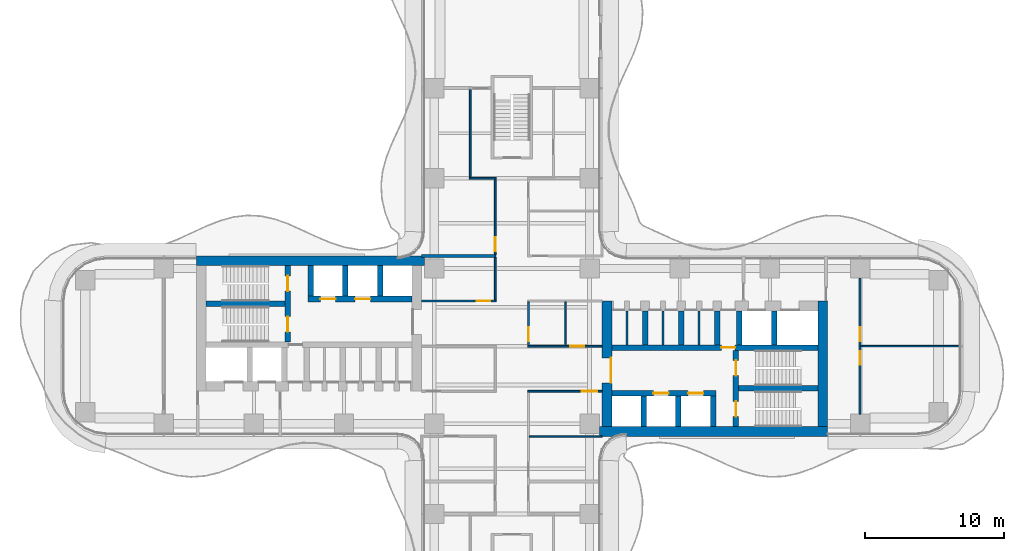
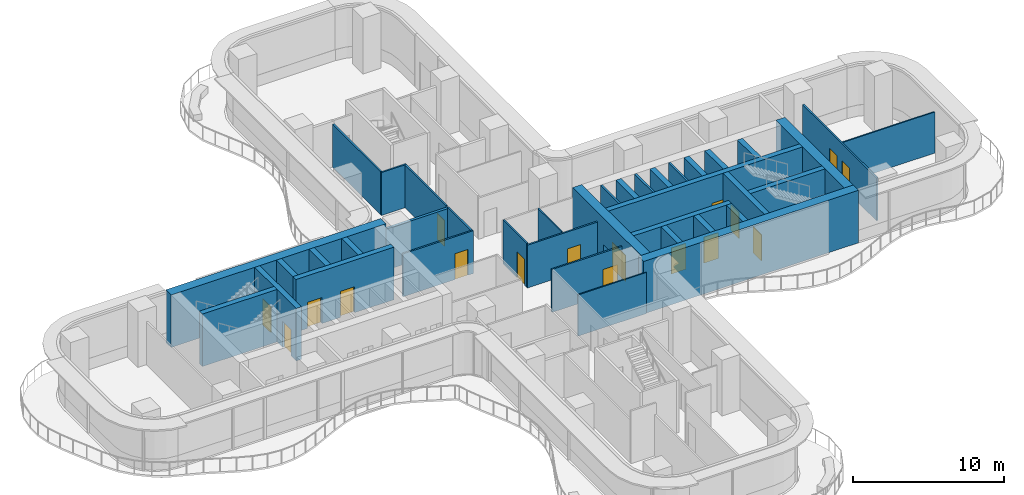
# One storey, part 18 of 22: 38 walls, 17 doors, 17 openings.
"""IFC4 building model written with IfcOpenShell, lengths in metres."""

from ifc_helpers import new_model, si_unit, direction, frame, frame_2d, origin, place, context, subcontext, project, spatial, rectangle, extrude, source, transform, mapped, material, layer, layer_set, type_object, element, fill, save


model = new_model("IFC4")

# Units and contexts
model_context = context("Model", 3, precision=1e-05, world=origin(), true_north=direction((0.0, 1.0)))
body_context = subcontext(model_context, "Body", "Model", "MODEL_VIEW")
ifc_project = project(units=[si_unit("LENGTHUNIT", "METRE"), si_unit("AREAUNIT", "SQUARE_METRE"), si_unit("VOLUMEUNIT", "CUBIC_METRE"), si_unit("PLANEANGLEUNIT", "RADIAN"), si_unit("MASSUNIT", "GRAM", prefix="KILO")], contexts=[model_context])

# Site, building, storey
site_placement = place(None, origin())
site = spatial("IfcSite", under=ifc_project, at=site_placement, CompositionType="ELEMENT")
building_placement = place(site_placement, origin())
building = spatial("IfcBuilding", under=site, at=building_placement, Name="Trellis Farm Tower", CompositionType="ELEMENT")
storey_placement = place(building_placement, frame((0.0, 0.0, 47.5)))
storey = spatial("IfcBuildingStorey", under=building, at=storey_placement, Name="L09", CompositionType="ELEMENT", Elevation=47.5)

# Wall, opening, door
ifc_material_1 = material(Name="Concrete C80/95", Category="concrete")
ifc_layer_1 = layer(ifc_material_1, 0.699951171875)
ifc_layer_set_1 = layer_set([ifc_layer_1], Name="CORE OUTER WALL 700 CONCRETE C80/95")
wall_type_1 = type_object("IfcWallType", Name="CORE OUTER WALL 700 CONCRETE C80/95", PredefinedType="SHEAR", material=ifc_layer_set_1)
shared_shape_1 = source(origin(), body_context, "Body", "SweptSolid", [
    extrude(rectangle(XDim=9.050048828125, YDim=0.699951171875, at=frame_2d((4.52490234375, 0.0))), origin(), (0.0, 0.0, 1.0), 4.25),
])
wall_1_placement = place(storey_placement, frame((6.85009765625, -5.800048828125, 0.0), z_axis=(0.0, 0.0, 1.0), x_axis=(0.0, 1.0, 0.0)))
wall_1 = element("IfcWall", 1, at=wall_1_placement, inside=storey, type_object=wall_type_1, Name="Core wall", PredefinedType="SHEAR", context=body_context, shape_type="MappedRepresentation", body=[
    mapped(shared_shape_1, transform((0.0, 0.0, 0.0))),
])
shared_shape_2 = source(origin(), body_context, "Body", "SweptSolid", [
    extrude(rectangle(XDim=1.800048828125, YDim=2.10009765625, at=frame_2d((0.89990234375, 1.050048828125))), frame((0.0, 0.360107421875, 0.0), z_axis=(0.0, -1.0, 0.0), x_axis=(1.0, 0.0, 0.0)), (0.0, 0.0, 1.0), 0.72021484375),
])
opening_1_placement = place(wall_1_placement, frame((3.14990234375, 0.0, 0.0)))
opening_1 = element("IfcOpeningElement", 2, at=opening_1_placement, cuts=wall_1, Name="Opening DC1", PredefinedType="OPENING", context=body_context, shape_type="MappedRepresentation", body=[
    mapped(shared_shape_2, transform((0.0, 0.0, 0.0))),
])
ifc_material_2 = material(Name="Steel", Category="steel")
door_type_1 = type_object("IfcDoorType", Name="CORE FIRE DOOR DOUBLE 1800 X 2100", OperationType="DOUBLE_DOOR_SINGLE_SWING", PredefinedType="DOOR", material=ifc_material_2)
shared_shape_3 = source(origin(), body_context, "Body", "SweptSolid", [
    extrude(rectangle(XDim=1.800048828125, YDim=2.10009765625, at=frame_2d((0.89990234375, 1.050048828125))), frame((0.0, -0.27490234375, 0.0), z_axis=(0.0, -1.0, 0.0), x_axis=(1.0, 0.0, 0.0)), (0.0, 0.0, 1.0), 0.050048828125),
])
door_1_placement = place(opening_1_placement, origin())
door_1 = element("IfcDoor", 3, at=door_1_placement, inside=storey, type_object=door_type_1, Name="Core door", OperationType="DOUBLE_DOOR_SINGLE_SWING", OverallHeight=2.10009765625, OverallWidth=1.800048828125, PredefinedType="DOOR", context=body_context, shape_type="MappedRepresentation", body=[
    mapped(shared_shape_3, transform((0.0, 0.0, 0.0))),
])
fill(opening_1, door_1)

# Walls
wall_2_placement = place(storey_placement, frame((22.39990234375, -5.800048828125, 0.0), z_axis=(0.0, 0.0, 1.0), x_axis=(0.0, 1.0, 0.0)))
element("IfcWall", 4, at=wall_2_placement, inside=storey, type_object=wall_type_1, Name="Core wall", PredefinedType="SHEAR", context=body_context, shape_type="MappedRepresentation", body=[
    mapped(shared_shape_1, transform((0.0, 0.0, 0.0))),
])
ifc_layer_2 = layer(ifc_material_1, 0.39990234375)
ifc_layer_set_2 = layer_set([ifc_layer_2], Name="CORE INNER WALL 400 CONCRETE C80/95")
wall_type_2 = type_object("IfcWallType", Name="CORE INNER WALL 400 CONCRETE C80/95", PredefinedType="SHEAR", material=ifc_layer_set_2)
shared_shape_4 = source(origin(), body_context, "Body", "SweptSolid", [
    extrude(rectangle(XDim=2.199951171875, YDim=0.39990234375, at=frame_2d((1.10009765625, 0.0))), origin(), (0.0, 0.0, 1.0), 4.25),
])
for number, where, z_axis, x_axis, name in (
    (5, (9.5, -5.800048828125, 0.0), (0.0, 0.0, 1.0), (0.0, 1.0, 0.0), "Core wall"),
    (6, (12.0, -5.800048828125, 0.0), (0.0, 0.0, 1.0), (0.0, 1.0, 0.0), "Core wall"),
    (7, (14.5, -5.800048828125, 0.0), (0.0, 0.0, 1.0), (0.0, 1.0, 0.0), "Core wall"),
    (8, (-9.5, 5.800048828125, 0.0), (0.0, 0.0, 1.0), (0.0, -1.0, 0.0), "Core wall"),
    (9, (-12.0, 5.800048828125, 0.0), (0.0, 0.0, 1.0), (0.0, -1.0, 0.0), "Core wall"),
    (10, (-14.5, 5.800048828125, 0.0), (0.0, 0.0, 1.0), (0.0, -1.0, 0.0), "Core wall"),
):
    element("IfcWall", number, at=place(storey_placement, frame(where, z_axis=z_axis, x_axis=x_axis)), inside=storey, type_object=wall_type_2, Name=name, PredefinedType="SHEAR", context=body_context, shape_type="MappedRepresentation", body=[
        mapped(shared_shape_4, transform((0.0, 0.0, 0.0))),
    ])
shared_shape_5 = source(origin(), body_context, "Body", "SweptSolid", [
    extrude(rectangle(XDim=2.449951171875, YDim=0.39990234375, at=frame_2d((1.22509765625, 0.0))), origin(), (0.0, 0.0, 1.0), 4.25),
])
for number, where, z_axis, x_axis, name in (
    (11, (9.60009765625, 0.10009765625, 0.0), (0.0, 0.0, 1.0), (0.0, 1.0, 0.0), "Core wall"),
    (12, (12.199951171875, 0.10009765625, 0.0), (0.0, 0.0, 1.0), (0.0, 1.0, 0.0), "Core wall"),
    (13, (14.800048828125, 0.10009765625, 0.0), (0.0, 0.0, 1.0), (0.0, 1.0, 0.0), "Core wall"),
    (14, (16.39990234375, 0.10009765625, 0.0), (0.0, 0.0, 1.0), (0.0, 1.0, 0.0), "Core wall"),
    (15, (18.89990234375, 0.10009765625, 0.0), (0.0, 0.0, 1.0), (0.0, 1.0, 0.0), "Core wall"),
):
    element("IfcWall", number, at=place(storey_placement, frame(where, z_axis=z_axis, x_axis=x_axis)), inside=storey, type_object=wall_type_2, Name=name, PredefinedType="SHEAR", context=body_context, shape_type="MappedRepresentation", body=[
        mapped(shared_shape_5, transform((0.0, 0.0, 0.0))),
    ])
shared_shape_6 = source(origin(), body_context, "Body", "SweptSolid", [
    extrude(rectangle(XDim=16.449951171875, YDim=0.699951171875, at=frame_2d((8.22509765625, 0.0))), origin(), (0.0, 0.0, 1.0), 4.25),
])
for number, where, z_axis, x_axis, name in (
    (16, (6.300048828125, -6.14990234375, 0.0), (0.0, 0.0, 1.0), (1.0, 0.0, 0.0), "Core wall"),
    (17, (-6.300048828125, 6.14990234375, 0.0), (0.0, 0.0, 1.0), (-1.0, 0.0, 0.0), "Core wall"),
):
    element("IfcWall", number, at=place(storey_placement, frame(where, z_axis=z_axis, x_axis=x_axis)), inside=storey, type_object=wall_type_1, Name=name, PredefinedType="SHEAR", context=body_context, shape_type="MappedRepresentation", body=[
        mapped(shared_shape_6, transform((0.0, 0.0, 0.0))),
    ])

# Wall, openings, doors
shared_shape_7 = source(origin(), body_context, "Body", "SweptSolid", [
    extrude(rectangle(XDim=7.5, YDim=0.39990234375, at=frame_2d((3.75, 0.0))), origin(), (0.0, 0.0, 1.0), 4.25),
])
wall_3_placement = place(storey_placement, frame((7.199951171875, -3.39990234375, 0.0), z_axis=(0.0, 0.0, 1.0), x_axis=(1.0, 0.0, 0.0)))
wall_3 = element("IfcWall", 18, at=wall_3_placement, inside=storey, type_object=wall_type_2, Name="Core wall", PredefinedType="SHEAR", context=body_context, shape_type="MappedRepresentation", body=[
    mapped(shared_shape_7, transform((0.0, 0.0, 0.0))),
])
shared_shape_8 = source(origin(), body_context, "Body", "SweptSolid", [
    extrude(rectangle(XDim=1.10009765625, YDim=2.10009765625, at=frame_2d((0.550048828125, 1.050048828125))), frame((0.0, 0.2099609375, 0.0), z_axis=(0.0, -1.0, 0.0), x_axis=(1.0, 0.0, 0.0)), (0.0, 0.0, 1.0), 0.419921875),
])
opening_2_placement = place(wall_3_placement, frame((3.0, 0.0, 0.0)))
opening_2 = element("IfcOpeningElement", 19, at=opening_2_placement, cuts=wall_3, Name="Opening LD2", PredefinedType="OPENING", context=body_context, shape_type="MappedRepresentation", body=[
    mapped(shared_shape_8, transform((0.0, 0.0, 0.0))),
])
opening_3_placement = place(wall_3_placement, frame((5.5, 0.0, 0.0)))
opening_3 = element("IfcOpeningElement", 20, at=opening_3_placement, cuts=wall_3, Name="Opening LD3", PredefinedType="OPENING", context=body_context, shape_type="MappedRepresentation", body=[
    mapped(shared_shape_8, transform((0.0, 0.0, 0.0))),
])
ifc_material_3 = material(Name="Stainless steel", Category="steel")
door_type_2 = type_object("IfcDoorType", Name="LIFT LANDING DOOR 1100 X 2100", OperationType="DOUBLE_DOOR_SLIDING", PredefinedType="DOOR", material=ifc_material_3)
shared_shape_9 = source(origin(), body_context, "Body", "SweptSolid", [
    extrude(rectangle(XDim=1.10009765625, YDim=2.10009765625, at=frame_2d((0.550048828125, 1.050048828125))), frame((0.0, 0.02490234375, 0.0), z_axis=(0.0, -1.0, 0.0), x_axis=(1.0, 0.0, 0.0)), (0.0, 0.0, 1.0), 0.050048828125),
])
door_2_placement = place(opening_2_placement, origin())
door_2 = element("IfcDoor", 21, at=door_2_placement, inside=storey, type_object=door_type_2, Name="Lift landing door", OperationType="DOUBLE_DOOR_SLIDING", OverallHeight=2.10009765625, OverallWidth=1.10009765625, PredefinedType="DOOR", context=body_context, shape_type="MappedRepresentation", body=[
    mapped(shared_shape_9, transform((0.0, 0.0, 0.0))),
])
fill(opening_2, door_2)
door_3_placement = place(opening_3_placement, origin())
door_3 = element("IfcDoor", 22, at=door_3_placement, inside=storey, type_object=door_type_2, Name="Lift landing door", OperationType="DOUBLE_DOOR_SLIDING", OverallHeight=2.10009765625, OverallWidth=1.10009765625, PredefinedType="DOOR", context=body_context, shape_type="MappedRepresentation", body=[
    mapped(shared_shape_9, transform((0.0, 0.0, 0.0))),
])
fill(opening_3, door_3)

wall_4_placement = place(storey_placement, frame((-7.199951171875, 3.39990234375, 0.0), z_axis=(0.0, 0.0, 1.0), x_axis=(-1.0, 0.0, 0.0)))
wall_4 = element("IfcWall", 23, at=wall_4_placement, inside=storey, type_object=wall_type_2, Name="Core wall", PredefinedType="SHEAR", context=body_context, shape_type="MappedRepresentation", body=[
    mapped(shared_shape_7, transform((0.0, 0.0, 0.0))),
])
opening_4_placement = place(wall_4_placement, frame((3.0, 0.0, 0.0)))
opening_4 = element("IfcOpeningElement", 24, at=opening_4_placement, cuts=wall_4, Name="Opening LD10", PredefinedType="OPENING", context=body_context, shape_type="MappedRepresentation", body=[
    mapped(shared_shape_8, transform((0.0, 0.0, 0.0))),
])
opening_5_placement = place(wall_4_placement, frame((5.5, 0.0, 0.0)))
opening_5 = element("IfcOpeningElement", 25, at=opening_5_placement, cuts=wall_4, Name="Opening LD11", PredefinedType="OPENING", context=body_context, shape_type="MappedRepresentation", body=[
    mapped(shared_shape_8, transform((0.0, 0.0, 0.0))),
])
door_4_placement = place(opening_4_placement, origin())
door_4 = element("IfcDoor", 26, at=door_4_placement, inside=storey, type_object=door_type_2, Name="Lift landing door", OperationType="DOUBLE_DOOR_SLIDING", OverallHeight=2.10009765625, OverallWidth=1.10009765625, PredefinedType="DOOR", context=body_context, shape_type="MappedRepresentation", body=[
    mapped(shared_shape_9, transform((0.0, 0.0, 0.0))),
])
fill(opening_4, door_4)
door_5_placement = place(opening_5_placement, origin())
door_5 = element("IfcDoor", 27, at=door_5_placement, inside=storey, type_object=door_type_2, Name="Lift landing door", OperationType="DOUBLE_DOOR_SLIDING", OverallHeight=2.10009765625, OverallWidth=1.10009765625, PredefinedType="DOOR", context=body_context, shape_type="MappedRepresentation", body=[
    mapped(shared_shape_9, transform((0.0, 0.0, 0.0))),
])
fill(opening_5, door_5)

# Wall, opening, door
shared_shape_10 = source(origin(), body_context, "Body", "SweptSolid", [
    extrude(rectangle(XDim=14.85009765625, YDim=0.39990234375, at=frame_2d((7.425048828125, 0.0))), origin(), (0.0, 0.0, 1.0), 4.25),
])
wall_5_placement = place(storey_placement, frame((7.199951171875, -0.10009765625, 0.0), z_axis=(0.0, 0.0, 1.0), x_axis=(1.0, 0.0, 0.0)))
wall_5 = element("IfcWall", 28, at=wall_5_placement, inside=storey, type_object=wall_type_2, Name="Core wall", PredefinedType="SHEAR", context=body_context, shape_type="MappedRepresentation", body=[
    mapped(shared_shape_10, transform((0.0, 0.0, 0.0))),
])
shared_shape_11 = source(origin(), body_context, "Body", "SweptSolid", [
    extrude(rectangle(XDim=1.0, YDim=2.10009765625, at=frame_2d((0.5, 1.050048828125))), frame((0.0, 0.2099609375, 0.0), z_axis=(0.0, -1.0, 0.0), x_axis=(1.0, 0.0, 0.0)), (0.0, 0.0, 1.0), 0.419921875),
])
opening_6_placement = place(wall_5_placement, frame((7.89990234375, 0.0, 0.0)))
opening_6 = element("IfcOpeningElement", 29, at=opening_6_placement, cuts=wall_5, Name="Opening DC5", PredefinedType="OPENING", context=body_context, shape_type="MappedRepresentation", body=[
    mapped(shared_shape_11, transform((0.0, 0.0, 0.0))),
])
door_type_3 = type_object("IfcDoorType", Name="CORE FIRE DOOR 1000 X 2100", OperationType="NOTDEFINED", PredefinedType="DOOR", material=ifc_material_2)
shared_shape_12 = source(origin(), body_context, "Body", "SweptSolid", [
    extrude(rectangle(XDim=1.0, YDim=2.10009765625, at=frame_2d((0.5, 1.050048828125))), frame((0.0, 0.02490234375, 0.0), z_axis=(0.0, -1.0, 0.0), x_axis=(1.0, 0.0, 0.0)), (0.0, 0.0, 1.0), 0.050048828125),
])
door_6_placement = place(opening_6_placement, origin())
door_6 = element("IfcDoor", 30, at=door_6_placement, inside=storey, type_object=door_type_3, Name="Core door", OperationType="SINGLE_SWING_RIGHT", OverallHeight=2.10009765625, OverallWidth=1.0, PredefinedType="DOOR", context=body_context, shape_type="MappedRepresentation", body=[
    mapped(shared_shape_12, transform((0.0, 0.0, 0.0))),
])
fill(opening_6, door_6)

# Wall, openings, doors
shared_shape_13 = source(origin(), body_context, "Body", "SweptSolid", [
    extrude(rectangle(XDim=5.5, YDim=0.39990234375, at=frame_2d((2.75, 0.0))), origin(), (0.0, 0.0, 1.0), 4.25),
])
wall_6_placement = place(storey_placement, frame((16.14990234375, -5.800048828125, 0.0), z_axis=(0.0, 0.0, 1.0), x_axis=(0.0, 1.0, 0.0)))
wall_6 = element("IfcWall", 31, at=wall_6_placement, inside=storey, type_object=wall_type_2, Name="Core wall", PredefinedType="SHEAR", context=body_context, shape_type="MappedRepresentation", body=[
    mapped(shared_shape_13, transform((0.0, 0.0, 0.0))),
])
opening_7_placement = place(wall_6_placement, frame((0.72509765625, 0.0, 0.0)))
opening_7 = element("IfcOpeningElement", 32, at=opening_7_placement, cuts=wall_6, Name="Opening DC2", PredefinedType="OPENING", context=body_context, shape_type="MappedRepresentation", body=[
    mapped(shared_shape_8, transform((0.0, 0.0, 0.0))),
])
opening_8_placement = place(wall_6_placement, frame((3.675048828125, 0.0, 0.0)))
opening_8 = element("IfcOpeningElement", 33, at=opening_8_placement, cuts=wall_6, Name="Opening DC3", PredefinedType="OPENING", context=body_context, shape_type="MappedRepresentation", body=[
    mapped(shared_shape_8, transform((0.0, 0.0, 0.0))),
])
door_type_4 = type_object("IfcDoorType", Name="CORE FIRE DOOR 1100 X 2100", OperationType="NOTDEFINED", PredefinedType="DOOR", material=ifc_material_2)
door_7_placement = place(opening_7_placement, origin())
door_7 = element("IfcDoor", 34, at=door_7_placement, inside=storey, type_object=door_type_4, Name="Core door", OperationType="SINGLE_SWING_RIGHT", OverallHeight=2.10009765625, OverallWidth=1.10009765625, PredefinedType="DOOR", context=body_context, shape_type="MappedRepresentation", body=[
    mapped(shared_shape_9, transform((0.0, 0.0, 0.0))),
])
fill(opening_7, door_7)
door_8_placement = place(opening_8_placement, origin())
door_8 = element("IfcDoor", 35, at=door_8_placement, inside=storey, type_object=door_type_4, Name="Core door", OperationType="SINGLE_SWING_LEFT", OverallHeight=2.10009765625, OverallWidth=1.10009765625, PredefinedType="DOOR", context=body_context, shape_type="MappedRepresentation", body=[
    mapped(shared_shape_9, transform((0.0, 0.0, 0.0))),
])
fill(opening_8, door_8)

wall_7_placement = place(storey_placement, frame((-16.14990234375, 5.800048828125, 0.0), z_axis=(0.0, 0.0, 1.0), x_axis=(0.0, -1.0, 0.0)))
wall_7 = element("IfcWall", 36, at=wall_7_placement, inside=storey, type_object=wall_type_2, Name="Core wall", PredefinedType="SHEAR", context=body_context, shape_type="MappedRepresentation", body=[
    mapped(shared_shape_13, transform((0.0, 0.0, 0.0))),
])
opening_9_placement = place(wall_7_placement, frame((0.72509765625, 0.0, 0.0)))
opening_9 = element("IfcOpeningElement", 37, at=opening_9_placement, cuts=wall_7, Name="Opening DC88", PredefinedType="OPENING", context=body_context, shape_type="MappedRepresentation", body=[
    mapped(shared_shape_8, transform((0.0, 0.0, 0.0))),
])
opening_10_placement = place(wall_7_placement, frame((3.675048828125, 0.0, 0.0)))
opening_10 = element("IfcOpeningElement", 38, at=opening_10_placement, cuts=wall_7, Name="Opening DC89", PredefinedType="OPENING", context=body_context, shape_type="MappedRepresentation", body=[
    mapped(shared_shape_8, transform((0.0, 0.0, 0.0))),
])
door_9_placement = place(opening_9_placement, origin())
door_9 = element("IfcDoor", 39, at=door_9_placement, inside=storey, type_object=door_type_4, Name="Core door", OperationType="SINGLE_SWING_RIGHT", OverallHeight=2.10009765625, OverallWidth=1.10009765625, PredefinedType="DOOR", context=body_context, shape_type="MappedRepresentation", body=[
    mapped(shared_shape_9, transform((0.0, 0.0, 0.0))),
])
fill(opening_9, door_9)
door_10_placement = place(opening_10_placement, origin())
door_10 = element("IfcDoor", 40, at=door_10_placement, inside=storey, type_object=door_type_4, Name="Core door", OperationType="SINGLE_SWING_LEFT", OverallHeight=2.10009765625, OverallWidth=1.10009765625, PredefinedType="DOOR", context=body_context, shape_type="MappedRepresentation", body=[
    mapped(shared_shape_9, transform((0.0, 0.0, 0.0))),
])
fill(opening_10, door_10)

# Walls
shared_shape_14 = source(origin(), body_context, "Body", "SweptSolid", [
    extrude(rectangle(XDim=5.699951171875, YDim=0.39990234375, at=frame_2d((2.85009765625, 0.0))), origin(), (0.0, 0.0, 1.0), 4.25),
])
for number, where, z_axis, x_axis, name in (
    (41, (16.35009765625, -3.050048828125, 0.0), (0.0, 0.0, 1.0), (1.0, 0.0, 0.0), "Core wall"),
    (42, (-16.35009765625, 3.050048828125, 0.0), (0.0, 0.0, 1.0), (-1.0, 0.0, 0.0), "Core wall"),
):
    element("IfcWall", number, at=place(storey_placement, frame(where, z_axis=z_axis, x_axis=x_axis)), inside=storey, type_object=wall_type_2, Name=name, PredefinedType="SHEAR", context=body_context, shape_type="MappedRepresentation", body=[
        mapped(shared_shape_14, transform((0.0, 0.0, 0.0))),
    ])
ifc_material_4 = material(Name="Masonry blockwork", Category="masonry")
ifc_layer_3 = layer(ifc_material_4, 0.14990234375)
ifc_layer_set_3 = layer_set([ifc_layer_3], Name="CORE PARTITION 150 BLOCKWORK")
wall_type_3 = type_object("IfcWallType", Name="CORE PARTITION 150 BLOCKWORK", PredefinedType="PARTITIONING", material=ifc_layer_set_3)
shared_shape_15 = source(origin(), body_context, "Body", "SweptSolid", [
    extrude(rectangle(XDim=2.449951171875, YDim=0.14990234375, at=frame_2d((1.22509765625, 0.0))), origin(), (0.0, 0.0, 1.0), 4.25),
])
for number, where, z_axis, x_axis, name in (
    (43, (8.300048828125, 0.10009765625, 0.0), (0.0, 0.0, 1.0), (0.0, 1.0, 0.0), "Core room partition"),
    (44, (10.89990234375, 0.10009765625, 0.0), (0.0, 0.0, 1.0), (0.0, 1.0, 0.0), "Core room partition"),
    (45, (13.5, 0.10009765625, 0.0), (0.0, 0.0, 1.0), (0.0, 1.0, 0.0), "Core room partition"),
):
    element("IfcWall", number, at=place(storey_placement, frame(where, z_axis=z_axis, x_axis=x_axis)), inside=storey, type_object=wall_type_3, Name=name, PredefinedType="PARTITIONING", context=body_context, shape_type="MappedRepresentation", body=[
        mapped(shared_shape_15, transform((0.0, 0.0, 0.0))),
    ])

# Wall, opening, door
ifc_material_5 = material(Name="Plasterboard on steel studs, mineral wool", Category="steel")
ifc_layer_4 = layer(ifc_material_5, 0.125)
ifc_layer_set_4 = layer_set([ifc_layer_4], Name="PARTITION 125 STUD EI 60")
wall_type_4 = type_object("IfcWallType", Name="PARTITION 125 STUD EI 60", PredefinedType="PARTITIONING", material=ifc_layer_set_4)
shared_shape_16 = source(origin(), body_context, "Body", "SweptSolid", [
    extrude(rectangle(XDim=3.125, YDim=0.125, at=frame_2d((1.5625, 0.0))), origin(), (0.0, 0.0, 1.0), 3.54638671875),
])
wall_8_placement = place(storey_placement, frame((1.199951171875, 3.1875, 0.0), z_axis=(0.0, 0.0, 1.0), x_axis=(0.0, -1.0, 0.0)))
wall_8 = element("IfcWall", 46, at=wall_8_placement, inside=storey, type_object=wall_type_4, Name="Partition PW1", PredefinedType="PARTITIONING", context=body_context, shape_type="MappedRepresentation", body=[
    mapped(shared_shape_16, transform((0.0, 0.0, 0.0))),
])
shared_shape_17 = source(origin(), body_context, "Body", "SweptSolid", [
    extrude(rectangle(XDim=1.0, YDim=2.10009765625, at=frame_2d((0.5, 1.050048828125))), frame((0.0, 0.072509765625, 0.0), z_axis=(0.0, -1.0, 0.0), x_axis=(1.0, 0.0, 0.0)), (0.0, 0.0, 1.0), 0.14501953125),
])
opening_11_placement = place(wall_8_placement, frame((1.83740234375, 0.0, 0.0)))
opening_11 = element("IfcOpeningElement", 47, at=opening_11_placement, cuts=wall_8, Name="Opening D110", PredefinedType="OPENING", context=body_context, shape_type="MappedRepresentation", body=[
    mapped(shared_shape_17, transform((0.0, 0.0, 0.0))),
])
ifc_material_6 = material(Name="Fire-rated timber door leaf in a hollow metal frame", Category="wood")
door_type_5 = type_object("IfcDoorType", Name="DOOR 1000x2100 FD30S", OperationType="NOTDEFINED", PredefinedType="DOOR", material=ifc_material_6)
door_11_placement = place(opening_11_placement, origin())
door_11 = element("IfcDoor", 48, at=door_11_placement, inside=storey, type_object=door_type_5, Name="Door D110", OperationType="SINGLE_SWING_RIGHT", OverallHeight=2.10009765625, OverallWidth=1.0, PredefinedType="DOOR", context=body_context, shape_type="MappedRepresentation", body=[
    mapped(shared_shape_12, transform((0.0, 0.0, 0.0))),
])
fill(opening_11, door_11)

# Wall, openings, doors
shared_shape_18 = source(origin(), body_context, "Body", "SweptSolid", [
    extrude(rectangle(XDim=9.7998046875, YDim=0.125, at=frame_2d((4.89990234375, 0.0))), origin(), (0.0, 0.0, 1.0), 3.4677734375),
])
wall_9_placement = place(storey_placement, frame((25.10009765625, 4.89990234375, 0.0), z_axis=(0.0, 0.0, 1.0), x_axis=(0.0, -1.0, 0.0)))
wall_9 = element("IfcWall", 49, at=wall_9_placement, inside=storey, type_object=wall_type_4, Name="Partition PW1", PredefinedType="PARTITIONING", context=body_context, shape_type="MappedRepresentation", body=[
    mapped(shared_shape_18, transform((0.0, 0.0, 0.0))),
])
opening_12_placement = place(wall_9_placement, frame((5.25, 0.0, 0.0)))
opening_12 = element("IfcOpeningElement", 50, at=opening_12_placement, cuts=wall_9, Name="Opening D108", PredefinedType="OPENING", context=body_context, shape_type="MappedRepresentation", body=[
    mapped(shared_shape_17, transform((0.0, 0.0, 0.0))),
])
opening_13_placement = place(wall_9_placement, frame((3.550048828125, 0.0, 0.0)))
opening_13 = element("IfcOpeningElement", 51, at=opening_13_placement, cuts=wall_9, Name="Opening D111", PredefinedType="OPENING", context=body_context, shape_type="MappedRepresentation", body=[
    mapped(shared_shape_17, transform((0.0, 0.0, 0.0))),
])
door_12_placement = place(opening_12_placement, origin())
door_12 = element("IfcDoor", 52, at=door_12_placement, inside=storey, type_object=door_type_5, Name="Door D108", OperationType="SINGLE_SWING_LEFT", OverallHeight=2.10009765625, OverallWidth=1.0, PredefinedType="DOOR", context=body_context, shape_type="MappedRepresentation", body=[
    mapped(shared_shape_12, transform((0.0, 0.0, 0.0))),
])
fill(opening_12, door_12)
door_13_placement = place(opening_13_placement, origin())
door_13 = element("IfcDoor", 53, at=door_13_placement, inside=storey, type_object=door_type_5, Name="Door D111", OperationType="SINGLE_SWING_RIGHT", OverallHeight=2.10009765625, OverallWidth=1.0, PredefinedType="DOOR", context=body_context, shape_type="MappedRepresentation", body=[
    mapped(shared_shape_12, transform((0.0, 0.0, 0.0))),
])
fill(opening_13, door_13)

# Wall
shared_shape_19 = source(origin(), body_context, "Body", "SweptSolid", [
    extrude(rectangle(XDim=1.925048828125, YDim=0.125, at=frame_2d((0.96240234375, 0.0))), origin(), (0.0, 0.0, 1.0), 3.4677734375),
])
wall_10_placement = place(storey_placement, frame((-1.137451171875, 12.10009765625, 0.0), z_axis=(0.0, 0.0, 1.0), x_axis=(-1.0, 0.0, 0.0)))
element("IfcWall", 54, at=wall_10_placement, inside=storey, type_object=wall_type_4, Name="Partition PW1", PredefinedType="PARTITIONING", context=body_context, shape_type="MappedRepresentation", body=[
    mapped(shared_shape_19, transform((0.0, 0.0, 0.0))),
])

# Wall, opening, door
shared_shape_20 = source(origin(), body_context, "Body", "SweptSolid", [
    extrude(rectangle(XDim=5.362548828125, YDim=0.125, at=frame_2d((2.68115234375, 0.0))), origin(), (0.0, 0.0, 1.0), 3.4677734375),
])
wall_11_placement = place(storey_placement, frame((6.5, -3.25, 0.0), z_axis=(0.0, 0.0, 1.0), x_axis=(-1.0, 0.0, 0.0)))
wall_11 = element("IfcWall", 55, at=wall_11_placement, inside=storey, type_object=wall_type_4, Name="Partition PW1", PredefinedType="PARTITIONING", context=body_context, shape_type="MappedRepresentation", body=[
    mapped(shared_shape_20, transform((0.0, 0.0, 0.0))),
])
shared_shape_21 = source(origin(), body_context, "Body", "SweptSolid", [
    extrude(rectangle(XDim=1.10009765625, YDim=2.10009765625, at=frame_2d((0.550048828125, 1.050048828125))), frame((0.0, 0.072509765625, 0.0), z_axis=(0.0, -1.0, 0.0), x_axis=(1.0, 0.0, 0.0)), (0.0, 0.0, 1.0), 0.14501953125),
])
opening_14_placement = place(wall_11_placement, frame((0.35009765625, 0.0, 0.0)))
opening_14 = element("IfcOpeningElement", 56, at=opening_14_placement, cuts=wall_11, Name="Opening D501", PredefinedType="OPENING", context=body_context, shape_type="MappedRepresentation", body=[
    mapped(shared_shape_21, transform((0.0, 0.0, 0.0))),
])
door_type_6 = type_object("IfcDoorType", Name="DOOR 1100x2100 FD30S", OperationType="NOTDEFINED", PredefinedType="DOOR", material=ifc_material_6)
door_14_placement = place(opening_14_placement, origin())
door_14 = element("IfcDoor", 57, at=door_14_placement, inside=storey, type_object=door_type_6, Name="Door D501", OperationType="SINGLE_SWING_LEFT", OverallHeight=2.10009765625, OverallWidth=1.10009765625, PredefinedType="DOOR", context=body_context, shape_type="MappedRepresentation", body=[
    mapped(shared_shape_9, transform((0.0, 0.0, 0.0))),
])
fill(opening_14, door_14)

wall_12_placement = place(storey_placement, frame((6.5, 0.0, 0.0), z_axis=(0.0, 0.0, 1.0), x_axis=(-1.0, 0.0, 0.0)))
wall_12 = element("IfcWall", 58, at=wall_12_placement, inside=storey, type_object=wall_type_4, Name="Partition PW1", PredefinedType="PARTITIONING", context=body_context, shape_type="MappedRepresentation", body=[
    mapped(shared_shape_20, transform((0.0, 0.0, 0.0))),
])
opening_15_placement = place(wall_12_placement, frame((1.300048828125, 0.0, 0.0)))
opening_15 = element("IfcOpeningElement", 59, at=opening_15_placement, cuts=wall_12, Name="Opening D109", PredefinedType="OPENING", context=body_context, shape_type="MappedRepresentation", body=[
    mapped(shared_shape_17, transform((0.0, 0.0, 0.0))),
])
door_15_placement = place(opening_15_placement, origin())
door_15 = element("IfcDoor", 60, at=door_15_placement, inside=storey, type_object=door_type_5, Name="Door D109", OperationType="SINGLE_SWING_RIGHT", OverallHeight=2.10009765625, OverallWidth=1.0, PredefinedType="DOOR", context=body_context, shape_type="MappedRepresentation", body=[
    mapped(shared_shape_12, transform((0.0, 0.0, 0.0))),
])
fill(opening_15, door_15)

wall_13_placement = place(storey_placement, frame((-6.5, 3.25, 0.0), z_axis=(0.0, 0.0, 1.0), x_axis=(1.0, 0.0, 0.0)))
wall_13 = element("IfcWall", 61, at=wall_13_placement, inside=storey, type_object=wall_type_4, Name="Partition PW1", PredefinedType="PARTITIONING", context=body_context, shape_type="MappedRepresentation", body=[
    mapped(shared_shape_20, transform((0.0, 0.0, 0.0))),
])
opening_16_placement = place(wall_13_placement, frame((3.949951171875, 0.0, 0.0)))
opening_16 = element("IfcOpeningElement", 62, at=opening_16_placement, cuts=wall_13, Name="Opening D112", PredefinedType="OPENING", context=body_context, shape_type="MappedRepresentation", body=[
    mapped(shared_shape_17, transform((0.0, 0.0, 0.0))),
])
door_16_placement = place(opening_16_placement, origin())
door_16 = element("IfcDoor", 63, at=door_16_placement, inside=storey, type_object=door_type_5, Name="Door D112", OperationType="SINGLE_SWING_RIGHT", OverallHeight=2.10009765625, OverallWidth=1.0, PredefinedType="DOOR", context=body_context, shape_type="MappedRepresentation", body=[
    mapped(shared_shape_12, transform((0.0, 0.0, 0.0))),
])
fill(opening_16, door_16)

# Walls
ifc_material_7 = material(Name="Plasterboard on steel studs", Category="steel")
ifc_layer_5 = layer(ifc_material_7, 0.10009765625)
ifc_layer_set_5 = layer_set([ifc_layer_5], Name="PARTITION 100 STUD EI 30")
wall_type_5 = type_object("IfcWallType", Name="PARTITION 100 STUD EI 30", PredefinedType="PARTITIONING", material=ifc_layer_set_5)
shared_shape_22 = source(origin(), body_context, "Body", "SweptSolid", [
    extrude(rectangle(XDim=3.125, YDim=0.10009765625, at=frame_2d((1.5625, 0.0))), origin(), (0.0, 0.0, 1.0), 3.54638671875),
])
wall_14_placement = place(storey_placement, frame((3.85009765625, 0.0625, 0.0), z_axis=(0.0, 0.0, 1.0), x_axis=(0.0, 1.0, 0.0)))
element("IfcWall", 64, at=wall_14_placement, inside=storey, type_object=wall_type_5, Name="Partition PW2", PredefinedType="PARTITIONING", context=body_context, shape_type="MappedRepresentation", body=[
    mapped(shared_shape_22, transform((0.0, 0.0, 0.0))),
])
shared_shape_23 = source(origin(), body_context, "Body", "SweptSolid", [
    extrude(rectangle(XDim=7.137451171875, YDim=0.10009765625, at=frame_2d((3.56884765625, 0.0))), origin(), (0.0, 0.0, 1.0), 3.330078125),
])
wall_15_placement = place(storey_placement, frame((25.16259765625, 0.0, 0.0), z_axis=(0.0, 0.0, 1.0), x_axis=(1.0, 0.0, 0.0)))
element("IfcWall", 65, at=wall_15_placement, inside=storey, type_object=wall_type_5, Name="Partition PW2", PredefinedType="PARTITIONING", context=body_context, shape_type="MappedRepresentation", body=[
    mapped(shared_shape_23, transform((0.0, 0.0, 0.0))),
])
shared_shape_24 = source(origin(), body_context, "Body", "SweptSolid", [
    extrude(rectangle(XDim=6.33740234375, YDim=0.125, at=frame_2d((3.168701171875, 0.0))), origin(), (0.0, 0.0, 1.0), 3.4677734375),
])
wall_16_placement = place(storey_placement, frame((-3.0, 12.16259765625, 0.0), z_axis=(0.0, 0.0, 1.0), x_axis=(0.0, 1.0, 0.0)))
element("IfcWall", 66, at=wall_16_placement, inside=storey, type_object=wall_type_4, Name="Partition PW1", PredefinedType="PARTITIONING", context=body_context, shape_type="MappedRepresentation", body=[
    mapped(shared_shape_24, transform((0.0, 0.0, 0.0))),
])
shared_shape_25 = source(origin(), body_context, "Body", "SweptSolid", [
    extrude(rectangle(XDim=3.08740234375, YDim=0.125, at=frame_2d((1.543701171875, 0.0))), origin(), (0.0, 0.0, 1.0), 3.4677734375),
])
wall_17_placement = place(storey_placement, frame((-1.199951171875, 6.39990234375, 0.0), z_axis=(0.0, 0.0, 1.0), x_axis=(0.0, -1.0, 0.0)))
element("IfcWall", 67, at=wall_17_placement, inside=storey, type_object=wall_type_4, Name="Partition PW1", PredefinedType="PARTITIONING", context=body_context, shape_type="MappedRepresentation", body=[
    mapped(shared_shape_25, transform((0.0, 0.0, 0.0))),
])

# Wall, opening, door
shared_shape_26 = source(origin(), body_context, "Body", "SweptSolid", [
    extrude(rectangle(XDim=5.4375, YDim=0.125, at=frame_2d((2.71875, 0.0))), origin(), (0.0, 0.0, 1.0), 3.4677734375),
])
wall_18_placement = place(storey_placement, frame((-1.199951171875, 6.60009765625, 0.0), z_axis=(0.0, 0.0, 1.0), x_axis=(0.0, 1.0, 0.0)))
wall_18 = element("IfcWall", 68, at=wall_18_placement, inside=storey, type_object=wall_type_4, Name="Partition PW1", PredefinedType="PARTITIONING", context=body_context, shape_type="MappedRepresentation", body=[
    mapped(shared_shape_26, transform((0.0, 0.0, 0.0))),
])
opening_17_placement = place(wall_18_placement, frame((0.25, 0.0, 0.0)))
opening_17 = element("IfcOpeningElement", 69, at=opening_17_placement, cuts=wall_18, Name="Opening D302", PredefinedType="OPENING", context=body_context, shape_type="MappedRepresentation", body=[
    mapped(shared_shape_17, transform((0.0, 0.0, 0.0))),
])
door_type_7 = type_object("IfcDoorType", Name="DOOR 1000x2100 FD60", OperationType="NOTDEFINED", PredefinedType="DOOR", material=ifc_material_6)
door_17_placement = place(opening_17_placement, origin())
door_17 = element("IfcDoor", 70, at=door_17_placement, inside=storey, type_object=door_type_7, Name="Door D302", OperationType="SINGLE_SWING_LEFT", OverallHeight=2.10009765625, OverallWidth=1.0, PredefinedType="DOOR", context=body_context, shape_type="MappedRepresentation", body=[
    mapped(shared_shape_12, transform((0.0, 0.0, 0.0))),
])
fill(opening_17, door_17)

# Walls
shared_shape_27 = source(origin(), body_context, "Body", "SweptSolid", [
    extrude(rectangle(XDim=5.237548828125, YDim=0.10009765625, at=frame_2d((2.61865234375, 0.0))), origin(), (0.0, 0.0, 1.0), 3.330078125),
])
wall_19_placement = place(storey_placement, frame((1.262451171875, -6.5, 0.0), z_axis=(0.0, 0.0, 1.0), x_axis=(1.0, 0.0, 0.0)))
element("IfcWall", 71, at=wall_19_placement, inside=storey, type_object=wall_type_5, Name="Partition PW2", PredefinedType="PARTITIONING", context=body_context, shape_type="MappedRepresentation", body=[
    mapped(shared_shape_27, transform((0.0, 0.0, 0.0))),
])
ifc_material_8 = material(Name="Lightweight blockwork, plastered", Category="masonry")
ifc_layer_6 = layer(ifc_material_8, 0.199951171875)
ifc_layer_set_6 = layer_set([ifc_layer_6], Name="BLOCK WALL 200 EI 120")
wall_type_6 = type_object("IfcWallType", Name="BLOCK WALL 200 EI 120", PredefinedType="PARTITIONING", material=ifc_layer_set_6)
shared_shape_28 = source(origin(), body_context, "Body", "SweptSolid", [
    extrude(rectangle(XDim=5.362548828125, YDim=0.199951171875, at=frame_2d((2.68115234375, 0.0))), origin(), (0.0, 0.0, 1.0), 3.330078125),
])
wall_20_placement = place(storey_placement, frame((-6.5, 6.5, 0.0), z_axis=(0.0, 0.0, 1.0), x_axis=(1.0, 0.0, 0.0)))
element("IfcWall", 72, at=wall_20_placement, inside=storey, type_object=wall_type_6, Name="Partition PW3", PredefinedType="PARTITIONING", context=body_context, shape_type="MappedRepresentation", body=[
    mapped(shared_shape_28, transform((0.0, 0.0, 0.0))),
])

save(model, "model.ifc")
